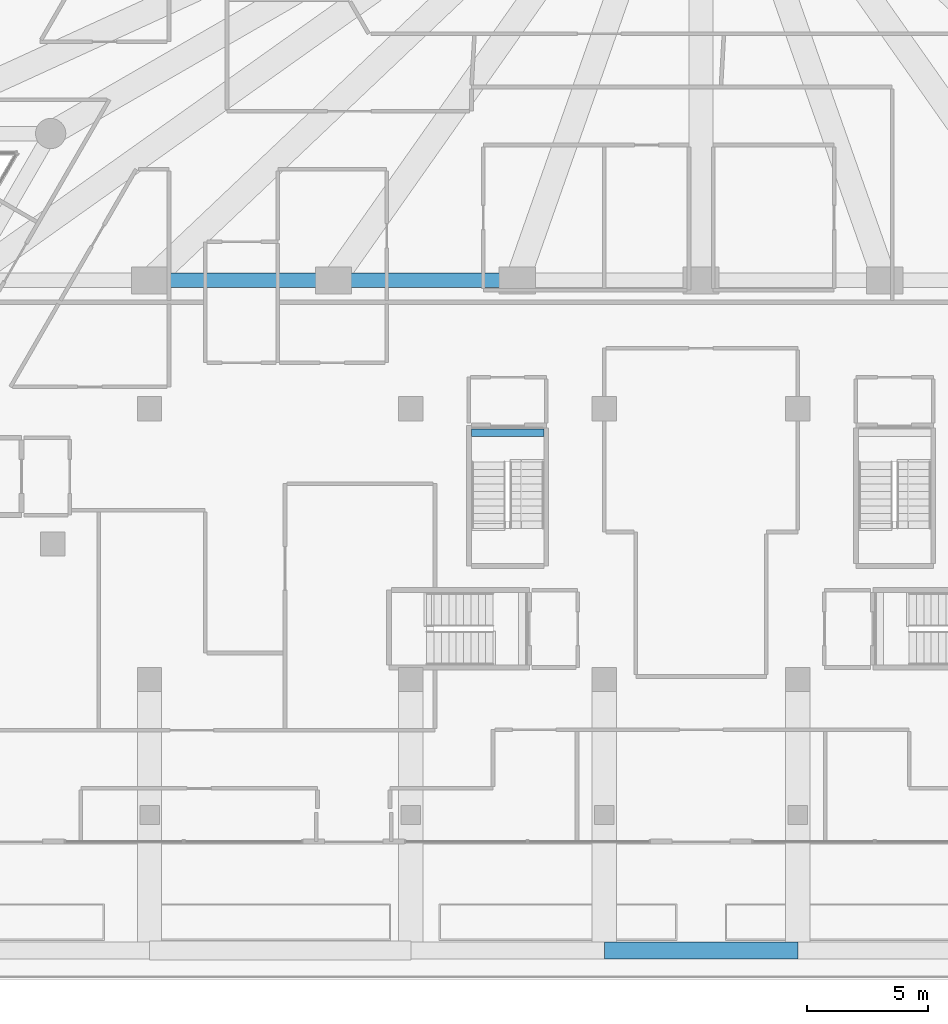
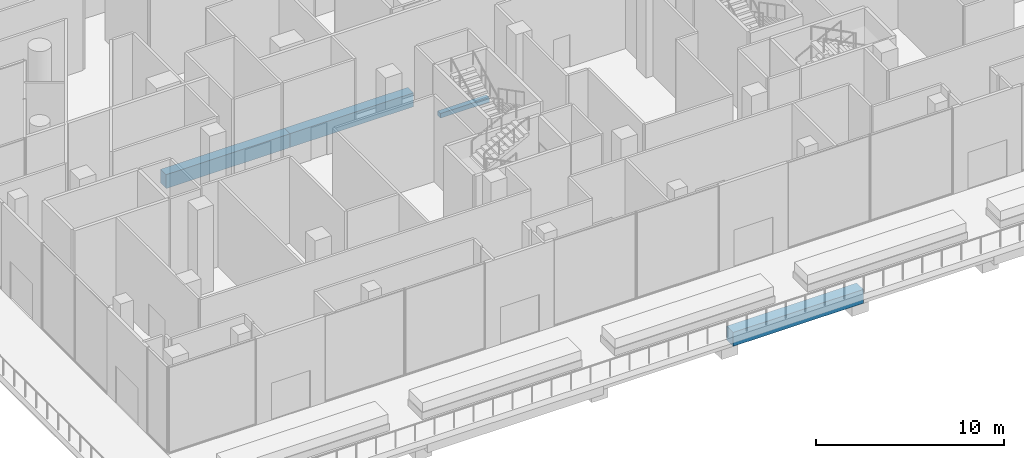
# One storey, part 5 of 36: 4 beams.
"""IFC4 building model written with IfcOpenShell, lengths in metres."""

from ifc_helpers import new_model, si_unit, direction, frame, origin, origin_2d, place, context, subcontext, project, spatial, rectangle, extrude, material, material_profile, profile_set, type_object, element, save


model = new_model("IFC4")

# Units and contexts
model_context = context("Model", 3, precision=1e-05, world=origin(), true_north=direction((0.0, 1.0)))
body_context = subcontext(model_context, "Body", "Model", "MODEL_VIEW")
ifc_project = project(units=[si_unit("LENGTHUNIT", "METRE"), si_unit("AREAUNIT", "SQUARE_METRE"), si_unit("VOLUMEUNIT", "CUBIC_METRE"), si_unit("PLANEANGLEUNIT", "RADIAN"), si_unit("MASSUNIT", "GRAM", prefix="KILO")], contexts=[model_context])

# Site, building, storey
site_placement = place(None, origin())
site = spatial("IfcSite", under=ifc_project, at=site_placement, CompositionType="ELEMENT")
building_placement = place(site_placement, origin())
building = spatial("IfcBuilding", under=site, at=building_placement, Name="Triada Interchange Tower", CompositionType="ELEMENT")
storey_placement = place(building_placement, frame((0.0, 0.0, 8.5)))
storey = spatial("IfcBuildingStorey", under=building, at=storey_placement, Name="L01", CompositionType="ELEMENT", Elevation=8.5)

# Beams
ifc_material_1 = material(Name="Concrete C35/45", Category="concrete")
ifc_material_profile_1 = material_profile(ifc_material_1, rectangle(XDim=0.300048828125, YDim=0.300048828125, at=origin_2d()), Name="RC 300x300")
ifc_profile_set_1 = profile_set([ifc_material_profile_1], Name="Concrete C35/45")
beam_type_1 = type_object("IfcBeamType", Name="Landing support beam RC 300x300", PredefinedType="BEAM", material=ifc_profile_set_1)
beam_1_placement = place(storey_placement, frame((-6.5, -27.89990234375, 2.491943359375), z_axis=(-1.0, 0.0, 0.0), x_axis=(0.0, -1.0, 0.0)))
element("IfcBeam", 1, at=beam_1_placement, inside=storey, type_object=beam_type_1, Name="Landing support beam S01-11 1", PredefinedType="BEAM", context=body_context, shape_type="SweptSolid", body=[
    extrude(rectangle(XDim=0.300048828125, YDim=0.300048828125, at=origin_2d()), origin(), (0.0, 0.0, 1.0), 3.0),
])
ifc_material_2 = material(Name="Concrete C50/60", Category="concrete")
ifc_material_profile_2 = material_profile(ifc_material_2, rectangle(XDim=0.60009765625, YDim=0.89990234375, at=origin_2d()), Name="RC 600x900")
ifc_profile_set_2 = profile_set([ifc_material_profile_2], Name="Concrete C50/60")
beam_type_2 = type_object("IfcBeamType", Name="Spandrel beam P RC 600x900", PredefinedType="BEAM", material=ifc_profile_set_2)
beam_2_placement = place(storey_placement, frame((-22.798095703125, -21.60009765625, -0.85009765625), z_axis=(1.0, 0.0, 0.0), x_axis=(0.0, 1.0, 0.0)))
element("IfcBeam", 2, at=beam_2_placement, inside=storey, type_object=beam_type_2, Name="Spandrel beam EP12 L01", PredefinedType="BEAM", context=body_context, shape_type="SweptSolid", body=[
    extrude(rectangle(XDim=0.60009765625, YDim=0.89990234375, at=origin_2d()), origin(), (0.0, 0.0, 1.0), 7.60009765625),
])
beam_3_placement = place(storey_placement, frame((-15.197998046875, -21.60009765625, -0.85009765625), z_axis=(1.0, 0.0, 0.0), x_axis=(0.0, 1.0, 0.0)))
element("IfcBeam", 3, at=beam_3_placement, inside=storey, type_object=beam_type_2, Name="Spandrel beam EP13 L01", PredefinedType="BEAM", context=body_context, shape_type="SweptSolid", body=[
    extrude(rectangle(XDim=0.60009765625, YDim=0.89990234375, at=origin_2d()), origin(), (0.0, 0.0, 1.0), 7.598876953125),
])
ifc_material_3 = material(Name="Concrete C40/50", Category="concrete")
ifc_material_profile_3 = material_profile(ifc_material_3, rectangle(XDim=0.699951171875, YDim=0.89990234375, at=origin_2d()), Name="RC 700x900")
ifc_profile_set_3 = profile_set([ifc_material_profile_3], Name="Concrete C40/50")
beam_type_3 = type_object("IfcBeamType", Name="Terrace beam RC 700x900", PredefinedType="BEAM", material=ifc_profile_set_3)
beam_4_placement = place(storey_placement, frame((-4.0, -49.300048828125, -0.85009765625), z_axis=(1.0, 0.0, 0.0), x_axis=(0.0, 1.0, 0.0)))
element("IfcBeam", 4, at=beam_4_placement, inside=storey, type_object=beam_type_3, Name="Terrace beam TE10 L01", PredefinedType="BEAM", context=body_context, shape_type="SweptSolid", body=[
    extrude(rectangle(XDim=0.699951171875, YDim=0.89990234375, at=origin_2d()), origin(), (0.0, 0.0, 1.0), 8.0),
])

save(model, "model.ifc")
